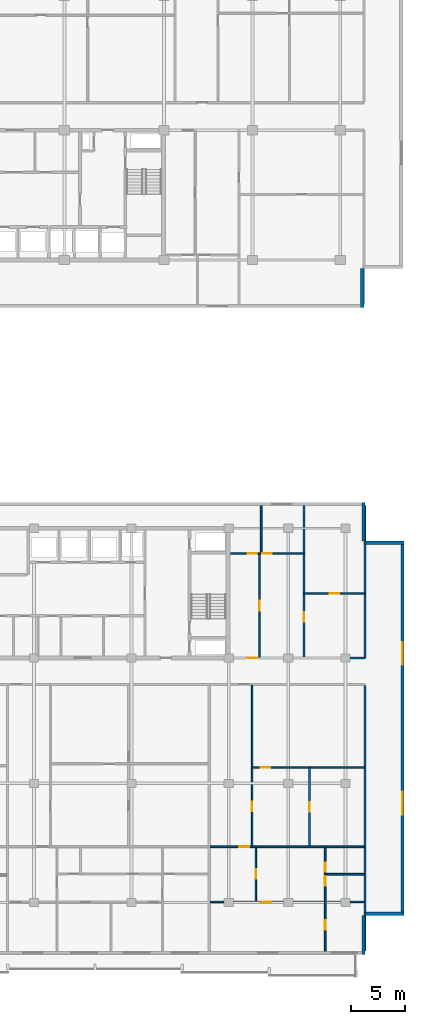
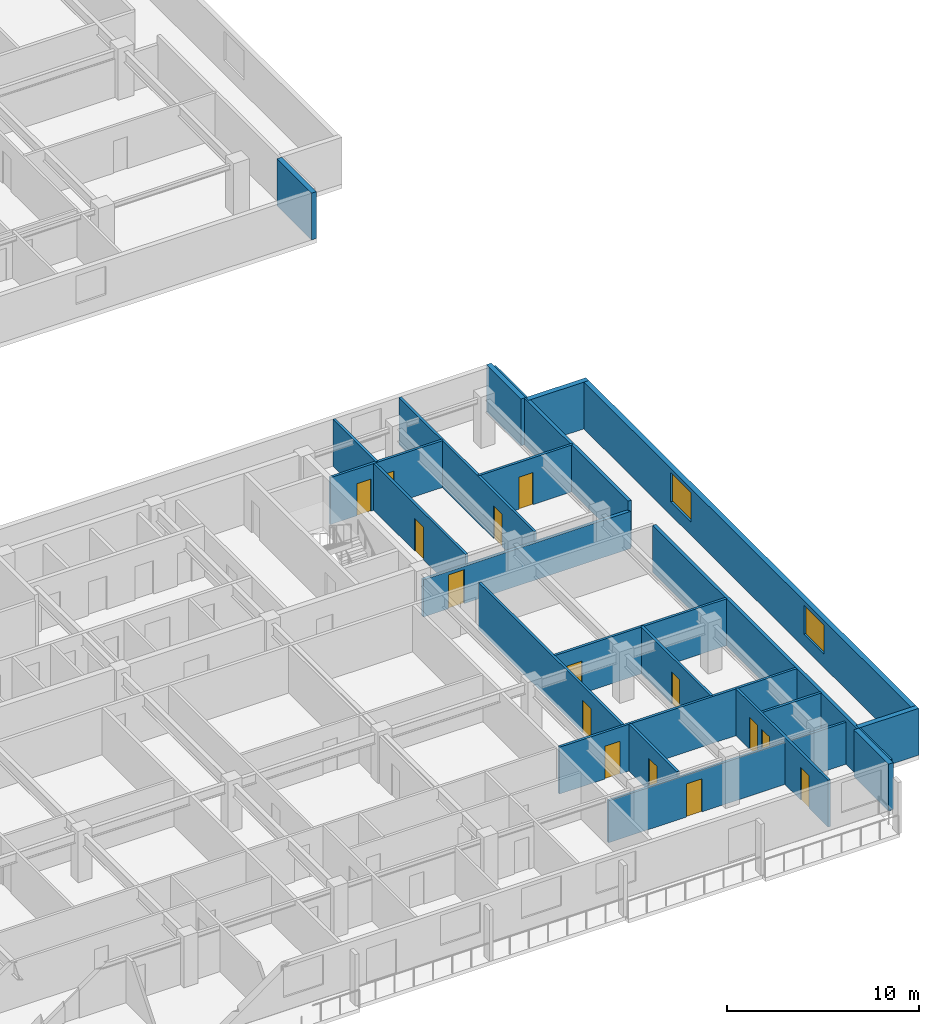
# One storey, part 10 of 22: 22 walls, 15 doors, 2 windows, 17 openings.
"""IFC4 building model written with IfcOpenShell, lengths in metres."""

from ifc_helpers import new_model, si_unit, direction, frame, frame_2d, origin, place, context, subcontext, project, spatial, rectangle, extrude, material, layer, layer_set, type_object, element, fill, save


model = new_model("IFC4")

# Units and contexts
model_context = context("Model", 3, precision=1e-05, world=origin(), true_north=direction((0.0, 1.0)))
body_context = subcontext(model_context, "Body", "Model", "MODEL_VIEW")
ifc_project = project(units=[si_unit("LENGTHUNIT", "METRE"), si_unit("AREAUNIT", "SQUARE_METRE"), si_unit("VOLUMEUNIT", "CUBIC_METRE"), si_unit("PLANEANGLEUNIT", "RADIAN"), si_unit("MASSUNIT", "GRAM", prefix="KILO")], contexts=[model_context])

# Site, building, storey
site_placement = place(None, origin())
site = spatial("IfcSite", under=ifc_project, at=site_placement, CompositionType="ELEMENT")
building_placement = place(site_placement, origin())
building = spatial("IfcBuilding", under=site, at=building_placement, Name="Korimba Cascade Residences", CompositionType="ELEMENT")
storey_placement = place(building_placement, frame((0.0, 0.0, 126.300048828125)))
storey = spatial("IfcBuildingStorey", under=building, at=storey_placement, Name="L36", CompositionType="ELEMENT", Elevation=126.300048828125)

# Walls
ifc_material_1 = material(Name="Precast concrete C40/50", Category="concrete")
ifc_layer_1 = layer(ifc_material_1, 0.300048828125)
ifc_layer_set_1 = layer_set([ifc_layer_1], Name="Precast concrete C40/50")
wall_type_1 = type_object("IfcWallType", Name="EW-STONE-300", PredefinedType="STANDARD", material=ifc_layer_set_1)
wall_1_placement = place(storey_placement, frame((130.449951171875, 50.800048828125, 0.0), z_axis=(0.0, 0.0, 1.0), x_axis=(0.0, 1.0, 0.0)))
element("IfcWall", 1, at=wall_1_placement, inside=storey, type_object=wall_type_1, Name="L36 T1 Perimeter Stone Wall E01", PredefinedType="STANDARD", context=body_context, shape_type="SweptSolid", body=[
    extrude(rectangle(XDim=3.599853515625, YDim=0.300048828125, at=frame_2d((1.7998046875, 0.0))), origin(), (0.0, 0.0, 1.0), 2.969970703125),
])
for number, where, z_axis, x_axis, name in (
    (2, (130.550048828125, -9.0, 0.0), (0.0, 0.0, 1.0), (0.0, 1.0, 0.0), "L36 T2 Perimeter Stone Wall E01"),
    (3, (130.699951171875, -5.25, 0.0), (0.0, 0.0, 1.0), (1.0, 0.0, 0.0), "L36 T2 Perimeter Stone Wall E02"),
):
    element("IfcWall", number, at=place(storey_placement, frame(where, z_axis=z_axis, x_axis=x_axis)), inside=storey, type_object=wall_type_1, Name=name, PredefinedType="STANDARD", context=body_context, shape_type="SweptSolid", body=[
        extrude(rectangle(XDim=3.60009765625, YDim=0.300048828125, at=frame_2d((1.800048828125, 0.0))), origin(), (0.0, 0.0, 1.0), 2.969970703125),
    ])

# Wall, openings, windows
wall_2_placement = place(storey_placement, frame((134.14990234375, -5.39990234375, 0.0), z_axis=(0.0, 0.0, 1.0), x_axis=(0.0, 1.0, 0.0)))
wall_2 = element("IfcWall", 4, at=wall_2_placement, inside=storey, type_object=wall_type_1, Name="L36 T2 Perimeter Stone Wall E03", PredefinedType="STANDARD", context=body_context, shape_type="SweptSolid", body=[
    extrude(rectangle(XDim=34.599853515625, YDim=0.300048828125, at=frame_2d((17.2998046875, 0.0))), origin(), (0.0, 0.0, 1.0), 2.969970703125),
])
opening_1_placement = place(wall_2_placement, frame((9.330078125, 0.0, 0.85009765625)))
opening_1 = element("IfcOpeningElement", 5, at=opening_1_placement, cuts=wall_2, Name="Opening W-03", PredefinedType="OPENING", context=body_context, shape_type="SweptSolid", body=[
    extrude(rectangle(XDim=2.10009765625, YDim=1.85009765625, at=frame_2d((1.050048828125, 0.925048828125))), frame((0.0, 0.16015625, 0.0), z_axis=(0.0, -1.0, 0.0), x_axis=(1.0, 0.0, 0.0)), (0.0, 0.0, 1.0), 0.320068359375),
])
opening_2_placement = place(wall_2_placement, frame((23.169921875, 0.0, 0.85009765625)))
opening_2 = element("IfcOpeningElement", 6, at=opening_2_placement, cuts=wall_2, Name="Opening W-03", PredefinedType="OPENING", context=body_context, shape_type="SweptSolid", body=[
    extrude(rectangle(XDim=2.10009765625, YDim=1.85009765625, at=frame_2d((1.050048828125, 0.925048828125))), frame((0.0, 0.16015625, 0.0), z_axis=(0.0, -1.0, 0.0), x_axis=(1.0, 0.0, 0.0)), (0.0, 0.0, 1.0), 0.320068359375),
])
ifc_material_2 = material(Name="Double-Glazed Aluminium Window", Category="aluminium")
window_type = type_object("IfcWindowType", Name="WIN-CRN-2100", PartitioningType="DOUBLE_PANEL_HORIZONTAL", PredefinedType="WINDOW", material=ifc_material_2)
window_1_placement = place(opening_1_placement, origin())
window_1 = element("IfcWindow", 7, at=window_1_placement, inside=storey, type_object=window_type, Name="L36 T2 End View Window 3.1", OverallHeight=1.85009765625, OverallWidth=2.10009765625, PartitioningType="DOUBLE_PANEL_HORIZONTAL", PredefinedType="WINDOW", context=body_context, shape_type="SweptSolid", body=[
    extrude(rectangle(XDim=2.10009765625, YDim=1.85009765625, at=frame_2d((1.050048828125, 0.925048828125))), frame((0.0, 0.030029296875, 0.0), z_axis=(0.0, -1.0, 0.0), x_axis=(1.0, 0.0, 0.0)), (0.0, 0.0, 1.0), 0.06005859375),
])
fill(opening_1, window_1)
window_2_placement = place(opening_2_placement, origin())
window_2 = element("IfcWindow", 8, at=window_2_placement, inside=storey, type_object=window_type, Name="L36 T2 End View Window 3.2", OverallHeight=1.85009765625, OverallWidth=2.10009765625, PartitioningType="DOUBLE_PANEL_HORIZONTAL", PredefinedType="WINDOW", context=body_context, shape_type="SweptSolid", body=[
    extrude(rectangle(XDim=2.10009765625, YDim=1.85009765625, at=frame_2d((1.050048828125, 0.925048828125))), frame((0.0, 0.030029296875, 0.0), z_axis=(0.0, -1.0, 0.0), x_axis=(1.0, 0.0, 0.0)), (0.0, 0.0, 1.0), 0.06005859375),
])
fill(opening_2, window_2)

# Walls
for number, where, z_axis, x_axis, name in (
    (9, (134.300048828125, 29.050048828125, 0.0), (0.0, 0.0, 1.0), (-1.0, 0.0, 0.0), "L36 T2 Perimeter Stone Wall E04"),
    (10, (130.550048828125, 29.199951171875, 0.0), (0.0, 0.0, 1.0), (0.0, 1.0, 0.0), "L36 T2 Perimeter Stone Wall E05"),
):
    element("IfcWall", number, at=place(storey_placement, frame(where, z_axis=z_axis, x_axis=x_axis)), inside=storey, type_object=wall_type_1, Name=name, PredefinedType="STANDARD", context=body_context, shape_type="SweptSolid", body=[
        extrude(rectangle(XDim=3.60009765625, YDim=0.300048828125, at=frame_2d((1.800048828125, 0.0))), origin(), (0.0, 0.0, 1.0), 2.969970703125),
    ])
ifc_layer_2 = layer(ifc_material_1, 0.199951171875)
ifc_layer_set_2 = layer_set([ifc_layer_2], Name="Precast concrete C40/50")
wall_type_2 = type_object("IfcWallType", Name="WAL-IT-200", PredefinedType="PARTITIONING", material=ifc_layer_set_2)
wall_3_placement = place(storey_placement, frame((130.699951171875, 18.39990234375, 0.0), z_axis=(0.0, 0.0, 1.0), x_axis=(0.0, 1.0, 0.0)))
element("IfcWall", 11, at=wall_3_placement, inside=storey, type_object=wall_type_2, Name="L36 Partition Wall WAL-L36-T2-FE-WR", PredefinedType="PARTITIONING", context=body_context, shape_type="SweptSolid", body=[
    extrude(rectangle(XDim=14.10009765625, YDim=0.199951171875, at=frame_2d((7.050048828125, 0.0))), origin(), (0.0, 0.0, 1.0), 2.969970703125),
])

# Wall, opening, door
wall_4_placement = place(storey_placement, frame((118.25, 18.39990234375, 0.0), z_axis=(0.0, 0.0, 1.0), x_axis=(1.0, 0.0, 0.0)))
wall_4 = element("IfcWall", 12, at=wall_4_placement, inside=storey, type_object=wall_type_2, Name="L36 Partition Wall WAL-L36-T2-FE-S", PredefinedType="PARTITIONING", context=body_context, shape_type="SweptSolid", body=[
    extrude(rectangle(XDim=12.449951171875, YDim=0.199951171875, at=frame_2d((6.22509765625, 0.0))), origin(), (0.0, 0.0, 1.0), 2.357666015625),
])
opening_3_placement = place(wall_4_placement, frame((1.510009765625, 0.0, 0.0)))
opening_3 = element("IfcOpeningElement", 13, at=opening_3_placement, cuts=wall_4, Name="Opening D-UN1", PredefinedType="OPENING", context=body_context, shape_type="SweptSolid", body=[
    extrude(rectangle(XDim=0.949951171875, YDim=2.14990234375, at=frame_2d((0.47509765625, 1.074951171875))), frame((0.0, 0.10986328125, 0.0), z_axis=(0.0, -1.0, 0.0), x_axis=(1.0, 0.0, 0.0)), (0.0, 0.0, 1.0), 0.219970703125),
])
ifc_material_3 = material(Name="Fire-Rated Hardwood Apartment Entrance Door", Category="wood")
door_type_1 = type_object("IfcDoorType", Name="DR-FD60-950", OperationType="NOTDEFINED", PredefinedType="DOOR", material=ifc_material_3)
door_1_placement = place(opening_3_placement, origin())
door_1 = element("IfcDoor", 14, at=door_1_placement, inside=storey, type_object=door_type_1, Name="L36-T2-FE Entrance Door", OperationType="SINGLE_SWING_RIGHT", OverallHeight=2.14990234375, OverallWidth=0.949951171875, PredefinedType="DOOR", context=body_context, shape_type="SweptSolid", body=[
    extrude(rectangle(XDim=0.949951171875, YDim=2.14990234375, at=frame_2d((0.47509765625, 1.074951171875))), frame((0.0, 0.02490234375, 0.0), z_axis=(0.0, -1.0, 0.0), x_axis=(1.0, 0.0, 0.0)), (0.0, 0.0, 1.0), 0.050048828125),
])
fill(opening_3, door_1)

# Wall
wall_5_placement = place(storey_placement, frame((130.699951171875, -8.699951171875, 0.0), z_axis=(0.0, 0.0, 1.0), x_axis=(0.0, 1.0, 0.0)))
element("IfcWall", 15, at=wall_5_placement, inside=storey, type_object=wall_type_2, Name="L36 Partition Wall WAL-L36-T2-BNDWR", PredefinedType="PARTITIONING", context=body_context, shape_type="SweptSolid", body=[
    extrude(rectangle(XDim=24.570068359375, YDim=0.199951171875, at=frame_2d((12.28515625, 0.0))), origin(), (0.0, 0.0, 1.0), 2.969970703125),
])

# Wall, opening, door
ifc_material_4 = material(Name="Insulated Acoustic Stud Partition", Category="gypsum")
ifc_layer_3 = layer(ifc_material_4, 0.14990234375)
ifc_layer_set_3 = layer_set([ifc_layer_3], Name="Insulated Acoustic Stud Partition")
wall_type_3 = type_object("IfcWallType", Name="WAL-PART-150", PredefinedType="PARTITIONING", material=ifc_layer_set_3)
wall_6_placement = place(storey_placement, frame((125.050048828125, 24.35009765625, 0.0), z_axis=(0.0, 0.0, 1.0), x_axis=(1.0, 0.0, 0.0)))
wall_6 = element("IfcWall", 16, at=wall_6_placement, inside=storey, type_object=wall_type_3, Name="L36 Partition Wall WAL-L36-T2-FE-STH", PredefinedType="PARTITIONING", context=body_context, shape_type="SweptSolid", body=[
    extrude(rectangle(XDim=5.64990234375, YDim=0.14990234375, at=frame_2d((2.824951171875, 0.0))), origin(), (0.0, 0.0, 1.0), 2.969970703125),
])
opening_4_placement = place(wall_6_placement, frame((2.405029296875, 0.0, 0.0)))
opening_4 = element("IfcOpeningElement", 17, at=opening_4_placement, cuts=wall_6, Name="Opening D-BT1", PredefinedType="OPENING", context=body_context, shape_type="SweptSolid", body=[
    extrude(rectangle(XDim=0.840087890625, YDim=2.0400390625, at=frame_2d((0.419921875, 1.02001953125))), frame((0.0, 0.0849609375, 0.0), z_axis=(0.0, -1.0, 0.0), x_axis=(1.0, 0.0, 0.0)), (0.0, 0.0, 1.0), 0.169921875),
])
ifc_material_5 = material(Name="Moisture-Resistant Bathroom Timber Door", Category="wood")
door_type_2 = type_object("IfcDoorType", Name="DR-INT-850", OperationType="NOTDEFINED", PredefinedType="DOOR", material=ifc_material_5)
door_2_placement = place(opening_4_placement, origin())
door_2 = element("IfcDoor", 18, at=door_2_placement, inside=storey, type_object=door_type_2, Name="L36-T2-FE Dressing Store Door", OperationType="SINGLE_SWING_LEFT", OverallHeight=2.0400390625, OverallWidth=0.840087890625, PredefinedType="DOOR", context=body_context, shape_type="SweptSolid", body=[
    extrude(rectangle(XDim=0.840087890625, YDim=2.0400390625, at=frame_2d((0.419921875, 1.02001953125))), frame((0.0, 0.02490234375, 0.0), z_axis=(0.0, -1.0, 0.0), x_axis=(1.0, 0.0, 0.0)), (0.0, 0.0, 1.0), 0.050048828125),
])
fill(opening_4, door_2)

wall_7_placement = place(storey_placement, frame((125.050048828125, 18.449951171875, 0.0), z_axis=(0.0, 0.0, 1.0), x_axis=(0.0, 1.0, 0.0)))
wall_7 = element("IfcWall", 19, at=wall_7_placement, inside=storey, type_object=wall_type_3, Name="L36 Partition Wall WAL-L36-T2-FE-STV", PredefinedType="PARTITIONING", context=body_context, shape_type="SweptSolid", body=[
    extrude(rectangle(XDim=14.050048828125, YDim=0.14990234375, at=frame_2d((7.02490234375, 0.0))), origin(), (0.0, 0.0, 1.0), 2.969970703125),
])
opening_5_placement = place(wall_7_placement, frame((3.320068359375, 0.0, 0.0)))
opening_5 = element("IfcOpeningElement", 20, at=opening_5_placement, cuts=wall_7, Name="Opening D-IN2", PredefinedType="OPENING", context=body_context, shape_type="SweptSolid", body=[
    extrude(rectangle(XDim=0.8798828125, YDim=2.06005859375, at=frame_2d((0.43994140625, 1.030029296875))), frame((0.0, 0.0849609375, 0.0), z_axis=(0.0, -1.0, 0.0), x_axis=(1.0, 0.0, 0.0)), (0.0, 0.0, 1.0), 0.169921875),
])
ifc_material_6 = material(Name="Acoustic Timber Bedroom Door", Category="wood")
door_type_3 = type_object("IfcDoorType", Name="DR-INT-880", OperationType="NOTDEFINED", PredefinedType="DOOR", material=ifc_material_6)
door_3_placement = place(opening_5_placement, origin())
door_3 = element("IfcDoor", 21, at=door_3_placement, inside=storey, type_object=door_type_3, Name="L36-T2-FE Study Door", OperationType="SINGLE_SWING_RIGHT", OverallHeight=2.06005859375, OverallWidth=0.8798828125, PredefinedType="DOOR", context=body_context, shape_type="SweptSolid", body=[
    extrude(rectangle(XDim=0.8798828125, YDim=2.06005859375, at=frame_2d((0.43994140625, 1.030029296875))), frame((0.0, 0.02490234375, 0.0), z_axis=(0.0, -1.0, 0.0), x_axis=(1.0, 0.0, 0.0)), (0.0, 0.0, 1.0), 0.050048828125),
])
fill(opening_5, door_3)

wall_8_placement = place(storey_placement, frame((120.929931640625, 18.449951171875, 0.0), z_axis=(0.0, 0.0, 1.0), x_axis=(0.0, 1.0, 0.0)))
wall_8 = element("IfcWall", 22, at=wall_8_placement, inside=storey, type_object=wall_type_3, Name="L36 Partition Wall WAL-L36-T2-FE-VS", PredefinedType="PARTITIONING", context=body_context, shape_type="SweptSolid", body=[
    extrude(rectangle(XDim=9.60009765625, YDim=0.14990234375, at=frame_2d((4.800048828125, 0.0))), origin(), (0.0, 0.0, 1.0), 2.969970703125),
])
opening_6_placement = place(wall_8_placement, frame((4.340087890625, 0.0, 0.0)))
opening_6 = element("IfcOpeningElement", 23, at=opening_6_placement, cuts=wall_8, Name="Opening D-IN1", PredefinedType="OPENING", context=body_context, shape_type="SweptSolid", body=[
    extrude(rectangle(XDim=0.919921875, YDim=2.080078125, at=frame_2d((0.4599609375, 1.0400390625))), frame((0.0, 0.0849609375, 0.0), z_axis=(0.0, -1.0, 0.0), x_axis=(1.0, 0.0, 0.0)), (0.0, 0.0, 1.0), 0.169921875),
])
ifc_material_7 = material(Name="Acoustic Timber Living Door", Category="wood")
door_type_4 = type_object("IfcDoorType", Name="DR-INT-920", OperationType="NOTDEFINED", PredefinedType="DOOR", material=ifc_material_7)
door_4_placement = place(opening_6_placement, origin())
door_4 = element("IfcDoor", 24, at=door_4_placement, inside=storey, type_object=door_type_4, Name="L36-T2-FE Living Door", OperationType="SINGLE_SWING_LEFT", OverallHeight=2.080078125, OverallWidth=0.919921875, PredefinedType="DOOR", context=body_context, shape_type="SweptSolid", body=[
    extrude(rectangle(XDim=0.919921875, YDim=2.080078125, at=frame_2d((0.4599609375, 1.0400390625))), frame((0.0, 0.02490234375, 0.0), z_axis=(0.0, -1.0, 0.0), x_axis=(1.0, 0.0, 0.0)), (0.0, 0.0, 1.0), 0.050048828125),
])
fill(opening_6, door_4)

# Wall
wall_9_placement = place(storey_placement, frame((121.10009765625, 28.050048828125, 0.0), z_axis=(0.0, 0.0, 1.0), x_axis=(0.0, 1.0, 0.0)))
element("IfcWall", 25, at=wall_9_placement, inside=storey, type_object=wall_type_3, Name="L36 Partition Wall WAL-L36-T2-FE-VN", PredefinedType="PARTITIONING", context=body_context, shape_type="SweptSolid", body=[
    extrude(rectangle(XDim=4.449951171875, YDim=0.14990234375, at=frame_2d((2.22509765625, 0.0))), origin(), (0.0, 0.0, 1.0), 2.969970703125),
])

# Wall, openings, doors
wall_10_placement = place(storey_placement, frame((118.27001953125, 28.050048828125, 0.0), z_axis=(0.0, 0.0, 1.0), x_axis=(1.0, 0.0, 0.0)))
wall_10 = element("IfcWall", 26, at=wall_10_placement, inside=storey, type_object=wall_type_3, Name="L36 Partition Wall WAL-L36-T2-FE-H", PredefinedType="PARTITIONING", context=body_context, shape_type="SweptSolid", body=[
    extrude(rectangle(XDim=6.760009765625, YDim=0.14990234375, at=frame_2d((3.3798828125, 0.0))), origin(), (0.0, 0.0, 1.0), 2.969970703125),
])
opening_7_placement = place(wall_10_placement, frame((1.58740234375, 0.0, 0.0)))
opening_7 = element("IfcOpeningElement", 27, at=opening_7_placement, cuts=wall_10, Name="Opening D-BT1", PredefinedType="OPENING", context=body_context, shape_type="SweptSolid", body=[
    extrude(rectangle(XDim=0.840087890625, YDim=2.0400390625, at=frame_2d((0.419921875, 1.02001953125))), frame((0.0, 0.0849609375, 0.0), z_axis=(0.0, -1.0, 0.0), x_axis=(1.0, 0.0, 0.0)), (0.0, 0.0, 1.0), 0.169921875),
])
opening_8_placement = place(wall_10_placement, frame((2.93994140625, 0.0, 0.0)))
opening_8 = element("IfcOpeningElement", 28, at=opening_8_placement, cuts=wall_10, Name="Opening D-IN2", PredefinedType="OPENING", context=body_context, shape_type="SweptSolid", body=[
    extrude(rectangle(XDim=0.8798828125, YDim=2.06005859375, at=frame_2d((0.43994140625, 1.030029296875))), frame((0.0, 0.0849609375, 0.0), z_axis=(0.0, -1.0, 0.0), x_axis=(1.0, 0.0, 0.0)), (0.0, 0.0, 1.0), 0.169921875),
])
door_5_placement = place(opening_7_placement, origin())
door_5 = element("IfcDoor", 29, at=door_5_placement, inside=storey, type_object=door_type_2, Name="L36-T2-FE Bathroom Door", OperationType="SINGLE_SWING_RIGHT", OverallHeight=2.0400390625, OverallWidth=0.840087890625, PredefinedType="DOOR", context=body_context, shape_type="SweptSolid", body=[
    extrude(rectangle(XDim=0.840087890625, YDim=2.0400390625, at=frame_2d((0.419921875, 1.02001953125))), frame((0.0, 0.02490234375, 0.0), z_axis=(0.0, -1.0, 0.0), x_axis=(1.0, 0.0, 0.0)), (0.0, 0.0, 1.0), 0.050048828125),
])
fill(opening_7, door_5)
door_6_placement = place(opening_8_placement, origin())
door_6 = element("IfcDoor", 30, at=door_6_placement, inside=storey, type_object=door_type_3, Name="L36-T2-FE Bedroom Door", OperationType="SINGLE_SWING_LEFT", OverallHeight=2.06005859375, OverallWidth=0.8798828125, PredefinedType="DOOR", context=body_context, shape_type="SweptSolid", body=[
    extrude(rectangle(XDim=0.8798828125, YDim=2.06005859375, at=frame_2d((0.43994140625, 1.030029296875))), frame((0.0, 0.02490234375, 0.0), z_axis=(0.0, -1.0, 0.0), x_axis=(1.0, 0.0, 0.0)), (0.0, 0.0, 1.0), 0.050048828125),
])
fill(opening_8, door_6)

# Wall, opening, door
wall_11_placement = place(storey_placement, frame((125.568115234375, 0.989990234375, 0.0), z_axis=(0.0, 0.0, 1.0), x_axis=(0.0, 1.0, 0.0)))
wall_11 = element("IfcWall", 31, at=wall_11_placement, inside=storey, type_object=wall_type_3, Name="L36 Partition Wall WAL-L36-T2-U03-FMV", PredefinedType="PARTITIONING", context=body_context, shape_type="SweptSolid", body=[
    extrude(rectangle(XDim=7.27001953125, YDim=0.14990234375, at=frame_2d((3.635009765625, 0.0))), origin(), (0.0, 0.0, 1.0), 2.969970703125),
])
opening_9_placement = place(wall_11_placement, frame((3.215087890625, 0.0, 0.0)))
opening_9 = element("IfcOpeningElement", 32, at=opening_9_placement, cuts=wall_11, Name="Opening D-BT1", PredefinedType="OPENING", context=body_context, shape_type="SweptSolid", body=[
    extrude(rectangle(XDim=0.840087890625, YDim=2.0400390625, at=frame_2d((0.419921875, 1.02001953125))), frame((0.0, 0.0849609375, 0.0), z_axis=(0.0, -1.0, 0.0), x_axis=(1.0, 0.0, 0.0)), (0.0, 0.0, 1.0), 0.169921875),
])
door_7_placement = place(opening_9_placement, origin())
door_7 = element("IfcDoor", 33, at=door_7_placement, inside=storey, type_object=door_type_2, Name="L36-T2-U03 Wardrobe Door", OperationType="SINGLE_SWING_RIGHT", OverallHeight=2.0400390625, OverallWidth=0.840087890625, PredefinedType="DOOR", context=body_context, shape_type="SweptSolid", body=[
    extrude(rectangle(XDim=0.840087890625, YDim=2.0400390625, at=frame_2d((0.419921875, 1.02001953125))), frame((0.0, 0.02490234375, 0.0), z_axis=(0.0, -1.0, 0.0), x_axis=(1.0, 0.0, 0.0)), (0.0, 0.0, 1.0), 0.050048828125),
])
fill(opening_9, door_7)

wall_12_placement = place(storey_placement, frame((120.31640625, 8.260009765625, 0.0), z_axis=(0.0, 0.0, 1.0), x_axis=(1.0, 0.0, 0.0)))
wall_12 = element("IfcWall", 34, at=wall_12_placement, inside=storey, type_object=wall_type_3, Name="L36 Partition Wall WAL-L36-T2-U03-FMH", PredefinedType="PARTITIONING", context=body_context, shape_type="SweptSolid", body=[
    extrude(rectangle(XDim=10.3037109375, YDim=0.14990234375, at=frame_2d((5.15185546875, 0.0))), origin(), (0.0, 0.0, 1.0), 2.969970703125),
])
opening_10_placement = place(wall_12_placement, frame((0.730224609375, 0.0, 0.0)))
opening_10 = element("IfcOpeningElement", 35, at=opening_10_placement, cuts=wall_12, Name="Opening D-IN2", PredefinedType="OPENING", context=body_context, shape_type="SweptSolid", body=[
    extrude(rectangle(XDim=0.8798828125, YDim=2.06005859375, at=frame_2d((0.43994140625, 1.030029296875))), frame((0.0, 0.0849609375, 0.0), z_axis=(0.0, -1.0, 0.0), x_axis=(1.0, 0.0, 0.0)), (0.0, 0.0, 1.0), 0.169921875),
])
door_8_placement = place(opening_10_placement, origin())
door_8 = element("IfcDoor", 36, at=door_8_placement, inside=storey, type_object=door_type_3, Name="L36-T2-U03 Library Salon Door", OperationType="SINGLE_SWING_LEFT", OverallHeight=2.06005859375, OverallWidth=0.8798828125, PredefinedType="DOOR", context=body_context, shape_type="SweptSolid", body=[
    extrude(rectangle(XDim=0.8798828125, YDim=2.06005859375, at=frame_2d((0.43994140625, 1.030029296875))), frame((0.0, 0.02490234375, 0.0), z_axis=(0.0, -1.0, 0.0), x_axis=(1.0, 0.0, 0.0)), (0.0, 0.0, 1.0), 0.050048828125),
])
fill(opening_10, door_8)

wall_13_placement = place(storey_placement, frame((120.25634765625, 0.989990234375, 0.0), z_axis=(0.0, 0.0, 1.0), x_axis=(0.0, 1.0, 0.0)))
wall_13 = element("IfcWall", 37, at=wall_13_placement, inside=storey, type_object=wall_type_3, Name="L36 Partition Wall WAL-L36-T2-U03-FV", PredefinedType="PARTITIONING", context=body_context, shape_type="SweptSolid", body=[
    extrude(rectangle(XDim=14.89990234375, YDim=0.14990234375, at=frame_2d((7.449951171875, 0.0))), origin(), (0.0, 0.0, 1.0), 2.969970703125),
])
opening_11_placement = place(wall_13_placement, frame((3.2451171875, 0.0, 0.0)))
opening_11 = element("IfcOpeningElement", 38, at=opening_11_placement, cuts=wall_13, Name="Opening D-IN2", PredefinedType="OPENING", context=body_context, shape_type="SweptSolid", body=[
    extrude(rectangle(XDim=0.8798828125, YDim=2.06005859375, at=frame_2d((0.43994140625, 1.030029296875))), frame((0.0, 0.0849609375, 0.0), z_axis=(0.0, -1.0, 0.0), x_axis=(1.0, 0.0, 0.0)), (0.0, 0.0, 1.0), 0.169921875),
])
door_9_placement = place(opening_11_placement, origin())
door_9 = element("IfcDoor", 39, at=door_9_placement, inside=storey, type_object=door_type_3, Name="L36-T2-U03 Media Lounge Door", OperationType="SINGLE_SWING_RIGHT", OverallHeight=2.06005859375, OverallWidth=0.8798828125, PredefinedType="DOOR", context=body_context, shape_type="SweptSolid", body=[
    extrude(rectangle(XDim=0.8798828125, YDim=2.06005859375, at=frame_2d((0.43994140625, 1.030029296875))), frame((0.0, 0.02490234375, 0.0), z_axis=(0.0, -1.0, 0.0), x_axis=(1.0, 0.0, 0.0)), (0.0, 0.0, 1.0), 0.050048828125),
])
fill(opening_11, door_9)

wall_14_placement = place(storey_placement, frame((120.606201171875, -4.090087890625, 0.0), z_axis=(0.0, 0.0, 1.0), x_axis=(0.0, 1.0, 0.0)))
wall_14 = element("IfcWall", 40, at=wall_14_placement, inside=storey, type_object=wall_type_3, Name="L36 Partition Wall WAL-L36-T2-U03-VDIN", PredefinedType="PARTITIONING", context=body_context, shape_type="SweptSolid", body=[
    extrude(rectangle(XDim=5.0, YDim=0.14990234375, at=frame_2d((2.5, 0.0))), origin(), (0.0, 0.0, 1.0), 2.969970703125),
])
opening_12_placement = place(wall_14_placement, frame((2.06005859375, 0.0, 0.0)))
opening_12 = element("IfcOpeningElement", 41, at=opening_12_placement, cuts=wall_14, Name="Opening D-IN2", PredefinedType="OPENING", context=body_context, shape_type="SweptSolid", body=[
    extrude(rectangle(XDim=0.8798828125, YDim=2.06005859375, at=frame_2d((0.43994140625, 1.030029296875))), frame((0.0, 0.0849609375, 0.0), z_axis=(0.0, -1.0, 0.0), x_axis=(1.0, 0.0, 0.0)), (0.0, 0.0, 1.0), 0.169921875),
])
door_10_placement = place(opening_12_placement, origin())
door_10 = element("IfcDoor", 42, at=door_10_placement, inside=storey, type_object=door_type_3, Name="L36-T2-U03 Dining Room Door", OperationType="SINGLE_SWING_LEFT", OverallHeight=2.06005859375, OverallWidth=0.8798828125, PredefinedType="DOOR", context=body_context, shape_type="SweptSolid", body=[
    extrude(rectangle(XDim=0.8798828125, YDim=2.06005859375, at=frame_2d((0.43994140625, 1.030029296875))), frame((0.0, 0.02490234375, 0.0), z_axis=(0.0, -1.0, 0.0), x_axis=(1.0, 0.0, 0.0)), (0.0, 0.0, 1.0), 0.050048828125),
])
fill(opening_12, door_10)

# Wall
wall_15_placement = place(storey_placement, frame((127.080078125, -1.590087890625, 0.0), z_axis=(0.0, 0.0, 1.0), x_axis=(1.0, 0.0, 0.0)))
element("IfcWall", 43, at=wall_15_placement, inside=storey, type_object=wall_type_3, Name="L36 Partition Wall WAL-L36-T2-U03-BLDIV", PredefinedType="PARTITIONING", context=body_context, shape_type="SweptSolid", body=[
    extrude(rectangle(XDim=3.5400390625, YDim=0.14990234375, at=frame_2d((1.77001953125, 0.0))), origin(), (0.0, 0.0, 1.0), 2.969970703125),
])

# Wall, openings, doors
wall_16_placement = place(storey_placement, frame((127.02001953125, -8.699951171875, 0.0), z_axis=(0.0, 0.0, 1.0), x_axis=(0.0, 1.0, 0.0)))
wall_16 = element("IfcWall", 44, at=wall_16_placement, inside=storey, type_object=wall_type_3, Name="L36 Partition Wall WAL-L36-T2-U03-V1", PredefinedType="PARTITIONING", context=body_context, shape_type="SweptSolid", body=[
    extrude(rectangle(XDim=9.60986328125, YDim=0.14990234375, at=frame_2d((4.804931640625, 0.0))), origin(), (0.0, 0.0, 1.0), 2.969970703125),
])
opening_13_placement = place(wall_16_placement, frame((6.065185546875, 0.0, 0.0)))
opening_13 = element("IfcOpeningElement", 45, at=opening_13_placement, cuts=wall_16, Name="Opening D-BT1", PredefinedType="OPENING", context=body_context, shape_type="SweptSolid", body=[
    extrude(rectangle(XDim=0.840087890625, YDim=2.0400390625, at=frame_2d((0.419921875, 1.02001953125))), frame((0.0, 0.0849609375, 0.0), z_axis=(0.0, -1.0, 0.0), x_axis=(1.0, 0.0, 0.0)), (0.0, 0.0, 1.0), 0.169921875),
])
opening_14_placement = place(wall_16_placement, frame((7.339599609375, 0.0, 0.0)))
opening_14 = element("IfcOpeningElement", 46, at=opening_14_placement, cuts=wall_16, Name="Opening D-BT1", PredefinedType="OPENING", context=body_context, shape_type="SweptSolid", body=[
    extrude(rectangle(XDim=0.840087890625, YDim=2.0400390625, at=frame_2d((0.419921875, 1.02001953125))), frame((0.0, 0.0849609375, 0.0), z_axis=(0.0, -1.0, 0.0), x_axis=(1.0, 0.0, 0.0)), (0.0, 0.0, 1.0), 0.169921875),
])
opening_15_placement = place(wall_16_placement, frame((1.97119140625, 0.0, 0.0)))
opening_15 = element("IfcOpeningElement", 47, at=opening_15_placement, cuts=wall_16, Name="Opening D-IN2", PredefinedType="OPENING", context=body_context, shape_type="SweptSolid", body=[
    extrude(rectangle(XDim=0.8798828125, YDim=2.06005859375, at=frame_2d((0.43994140625, 1.030029296875))), frame((0.0, 0.0849609375, 0.0), z_axis=(0.0, -1.0, 0.0), x_axis=(1.0, 0.0, 0.0)), (0.0, 0.0, 1.0), 0.169921875),
])
door_11_placement = place(opening_13_placement, origin())
door_11 = element("IfcDoor", 48, at=door_11_placement, inside=storey, type_object=door_type_2, Name="L36-T2-U03 Bathroom Door", OperationType="SINGLE_SWING_RIGHT", OverallHeight=2.0400390625, OverallWidth=0.840087890625, PredefinedType="DOOR", context=body_context, shape_type="SweptSolid", body=[
    extrude(rectangle(XDim=0.840087890625, YDim=2.0400390625, at=frame_2d((0.419921875, 1.02001953125))), frame((0.0, 0.02490234375, 0.0), z_axis=(0.0, -1.0, 0.0), x_axis=(1.0, 0.0, 0.0)), (0.0, 0.0, 1.0), 0.050048828125),
])
fill(opening_13, door_11)
door_12_placement = place(opening_14_placement, origin())
door_12 = element("IfcDoor", 49, at=door_12_placement, inside=storey, type_object=door_type_2, Name="L36-T2-U03 Laundry Door", OperationType="SINGLE_SWING_LEFT", OverallHeight=2.0400390625, OverallWidth=0.840087890625, PredefinedType="DOOR", context=body_context, shape_type="SweptSolid", body=[
    extrude(rectangle(XDim=0.840087890625, YDim=2.0400390625, at=frame_2d((0.419921875, 1.02001953125))), frame((0.0, 0.02490234375, 0.0), z_axis=(0.0, -1.0, 0.0), x_axis=(1.0, 0.0, 0.0)), (0.0, 0.0, 1.0), 0.050048828125),
])
fill(opening_14, door_12)
door_13_placement = place(opening_15_placement, origin())
door_13 = element("IfcDoor", 50, at=door_13_placement, inside=storey, type_object=door_type_3, Name="L36-T2-U03 Bedroom 1 Door", OperationType="SINGLE_SWING_RIGHT", OverallHeight=2.06005859375, OverallWidth=0.8798828125, PredefinedType="DOOR", context=body_context, shape_type="SweptSolid", body=[
    extrude(rectangle(XDim=0.8798828125, YDim=2.06005859375, at=frame_2d((0.43994140625, 1.030029296875))), frame((0.0, 0.02490234375, 0.0), z_axis=(0.0, -1.0, 0.0), x_axis=(1.0, 0.0, 0.0)), (0.0, 0.0, 1.0), 0.050048828125),
])
fill(opening_15, door_13)

# Wall, opening, door
wall_17_placement = place(storey_placement, frame((116.3662109375, 0.949951171875, 0.0), z_axis=(0.0, 0.0, 1.0), x_axis=(1.0, 0.0, 0.0)))
wall_17 = element("IfcWall", 51, at=wall_17_placement, inside=storey, type_object=wall_type_3, Name="L36 Partition Wall WAL-L36-T2-U03-MW", PredefinedType="PARTITIONING", context=body_context, shape_type="SweptSolid", body=[
    extrude(rectangle(XDim=14.25390625, YDim=0.14990234375, at=frame_2d((7.126953125, 0.0))), origin(), (0.0, 0.0, 1.0), 2.969970703125),
])
opening_16_placement = place(wall_17_placement, frame((2.719970703125, 0.0, 0.0)))
opening_16 = element("IfcOpeningElement", 52, at=opening_16_placement, cuts=wall_17, Name="Opening D-IN1", PredefinedType="OPENING", context=body_context, shape_type="SweptSolid", body=[
    extrude(rectangle(XDim=0.919921875, YDim=2.080078125, at=frame_2d((0.4599609375, 1.0400390625))), frame((0.0, 0.0849609375, 0.0), z_axis=(0.0, -1.0, 0.0), x_axis=(1.0, 0.0, 0.0)), (0.0, 0.0, 1.0), 0.169921875),
])
door_14_placement = place(opening_16_placement, origin())
door_14 = element("IfcDoor", 53, at=door_14_placement, inside=storey, type_object=door_type_4, Name="L36-T2-U03 Kitchen Archway Door", OperationType="SINGLE_SWING_LEFT", OverallHeight=2.080078125, OverallWidth=0.919921875, PredefinedType="DOOR", context=body_context, shape_type="SweptSolid", body=[
    extrude(rectangle(XDim=0.919921875, YDim=2.080078125, at=frame_2d((0.4599609375, 1.0400390625))), frame((0.0, 0.02490234375, 0.0), z_axis=(0.0, -1.0, 0.0), x_axis=(1.0, 0.0, 0.0)), (0.0, 0.0, 1.0), 0.050048828125),
])
fill(opening_16, door_14)

wall_18_placement = place(storey_placement, frame((116.3662109375, -4.14990234375, 0.0), z_axis=(0.0, 0.0, 1.0), x_axis=(1.0, 0.0, 0.0)))
wall_18 = element("IfcWall", 54, at=wall_18_placement, inside=storey, type_object=wall_type_3, Name="L36 Partition Wall WAL-L36-T2-U03-HZ", PredefinedType="PARTITIONING", context=body_context, shape_type="SweptSolid", body=[
    extrude(rectangle(XDim=14.25390625, YDim=0.14990234375, at=frame_2d((7.126953125, 0.0))), origin(), (0.0, 0.0, 1.0), 2.663330078125),
])
opening_17_placement = place(wall_18_placement, frame((4.672607421875, 0.0, 0.0)))
opening_17 = element("IfcOpeningElement", 55, at=opening_17_placement, cuts=wall_18, Name="Opening D-IN0", PredefinedType="OPENING", context=body_context, shape_type="SweptSolid", body=[
    extrude(rectangle(XDim=0.93994140625, YDim=2.10009765625, at=frame_2d((0.469970703125, 1.050048828125))), frame((0.0, 0.0849609375, 0.0), z_axis=(0.0, -1.0, 0.0), x_axis=(1.0, 0.0, 0.0)), (0.0, 0.0, 1.0), 0.169921875),
])
ifc_material_8 = material(Name="Acoustic Timber Living Archway Door", Category="wood")
door_type_5 = type_object("IfcDoorType", Name="DR-INT-950", OperationType="NOTDEFINED", PredefinedType="DOOR", material=ifc_material_8)
door_15_placement = place(opening_17_placement, origin())
door_15 = element("IfcDoor", 56, at=door_15_placement, inside=storey, type_object=door_type_5, Name="L36-T2-U03 Living Archway Door", OperationType="SINGLE_SWING_RIGHT", OverallHeight=2.10009765625, OverallWidth=0.93994140625, PredefinedType="DOOR", context=body_context, shape_type="SweptSolid", body=[
    extrude(rectangle(XDim=0.93994140625, YDim=2.10009765625, at=frame_2d((0.469970703125, 1.050048828125))), frame((0.0, 0.02490234375, 0.0), z_axis=(0.0, -1.0, 0.0), x_axis=(1.0, 0.0, 0.0)), (0.0, 0.0, 1.0), 0.050048828125),
])
fill(opening_17, door_15)

save(model, "model.ifc")
